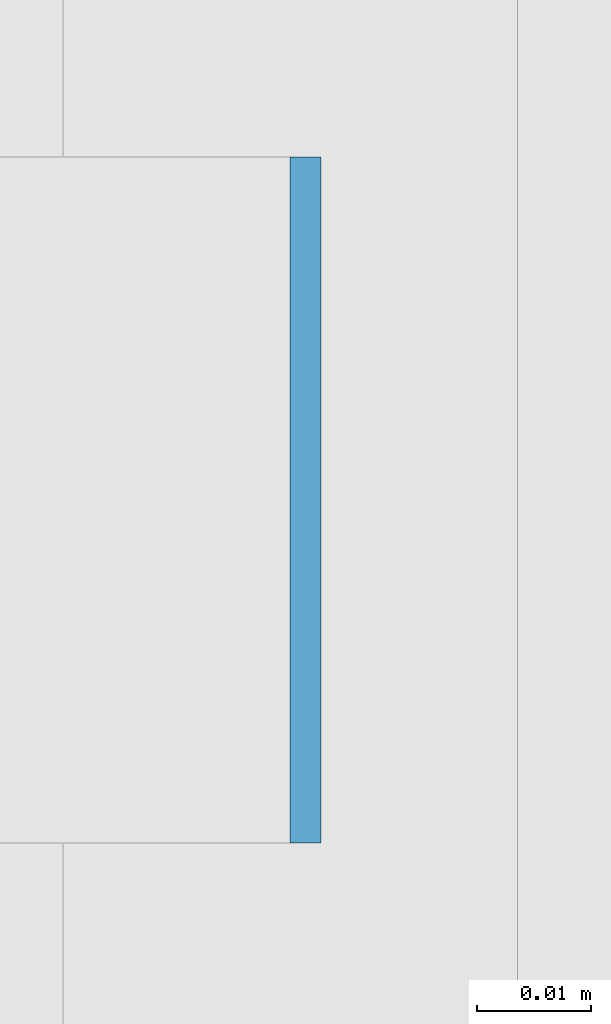
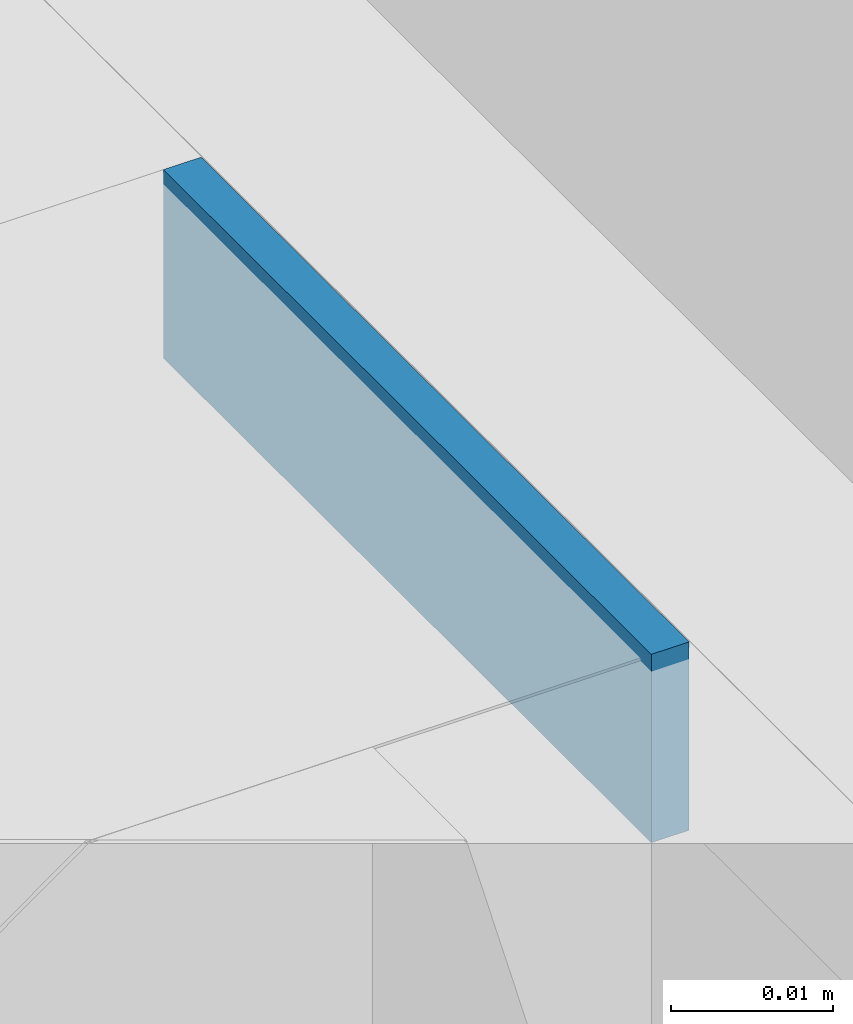
# One storey, part 389 of 646: 1 discrete accessory.
"""IFC4 building model written with IfcOpenShell, lengths in metres."""

from ifc_helpers import new_model, si_unit, direction, frame, origin, origin_2d, place, context, subcontext, project, spatial, rectangle, extrude, material, type_object, element, save


model = new_model("IFC4")

# Units and contexts
model_context = context("Model", 3, precision=1e-05, world=origin(), true_north=direction((0.0, 1.0)))
body_context = subcontext(model_context, "Body", "Model", "MODEL_VIEW")
ifc_project = project(units=[si_unit("LENGTHUNIT", "METRE"), si_unit("AREAUNIT", "SQUARE_METRE"), si_unit("VOLUMEUNIT", "CUBIC_METRE"), si_unit("PLANEANGLEUNIT", "RADIAN"), si_unit("MASSUNIT", "GRAM", prefix="KILO")], contexts=[model_context])

# Site, building, storey
site_placement = place(None, origin())
site = spatial("IfcSite", under=ifc_project, at=site_placement, CompositionType="ELEMENT")
building_placement = place(site_placement, origin())
building = spatial("IfcBuilding", under=site, at=building_placement, Name="Silverbay Arena", CompositionType="ELEMENT")
storey_placement = place(building_placement, frame((0.0, 0.0, 33.5)))
storey = spatial("IfcBuildingStorey", under=building, at=storey_placement, Name="L05", CompositionType="ELEMENT", Elevation=33.5)

# Discrete accessory
ifc_material = material(Name="Steel S355", Category="steel")
discrete_accessory_type = type_object("IfcDiscreteAccessoryType", Name="Steel bracket plate", PredefinedType="BRACKET", material=ifc_material)
discrete_accessory_placement = place(storey_placement, frame((53.871337890625, 113.142822265625, 12.98583984375), z_axis=(0.0, 0.0, 1.0), x_axis=(1.0, 0.0, 0.0)))
element("IfcDiscreteAccessory", 1, at=discrete_accessory_placement, inside=storey, type_object=discrete_accessory_type, Name="Curtain wall packing plate", PredefinedType="BRACKET", context=body_context, shape_type="SweptSolid", body=[
    extrude(rectangle(XDim=0.002685546875, YDim=0.06005859375, at=origin_2d()), origin(), (0.0, 0.0, 1.0), 0.01416015625),
])

save(model, "model.ifc")
